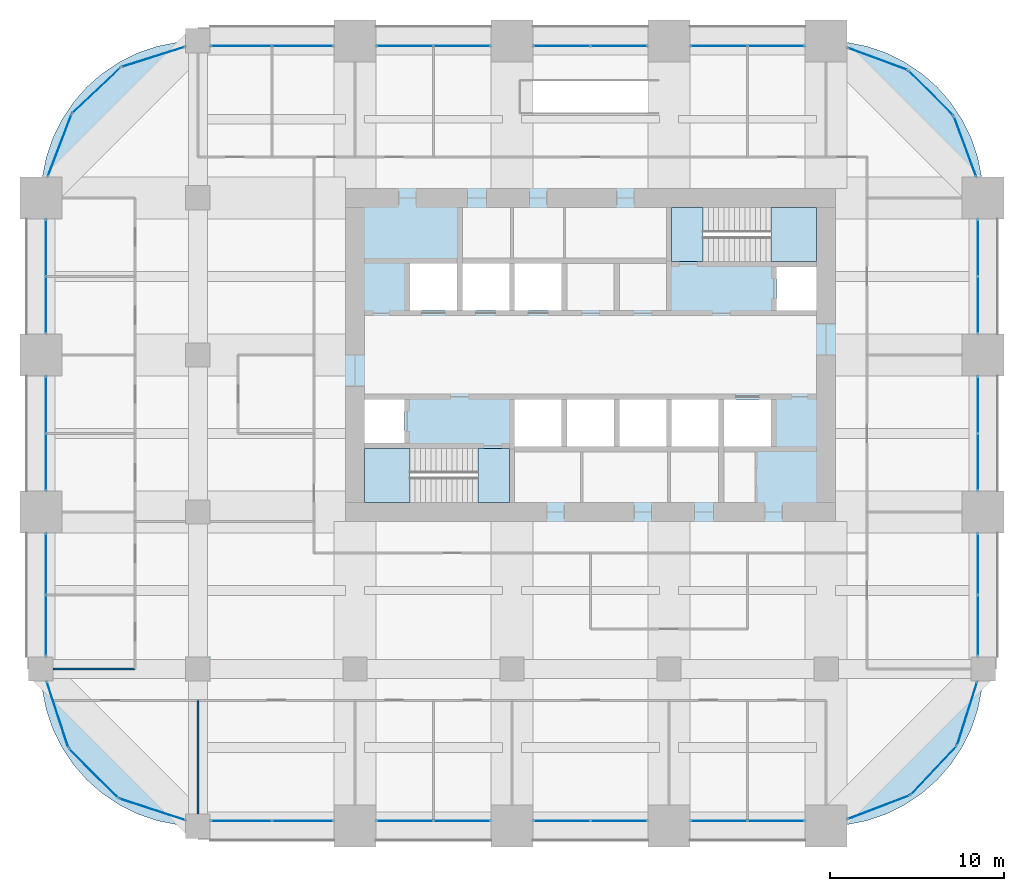
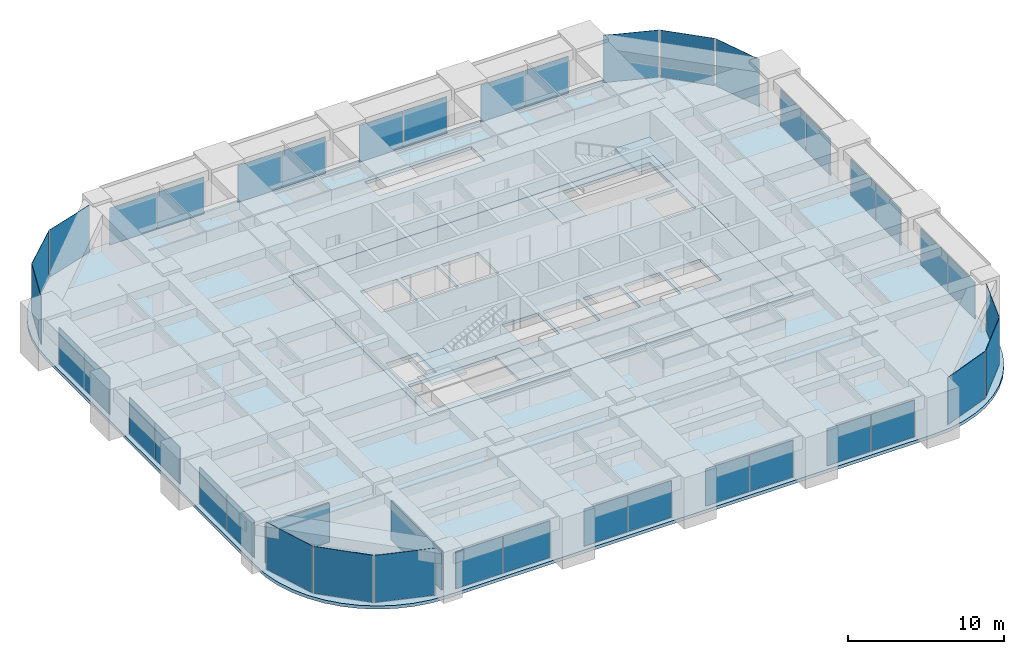
# One storey, part 29 of 35: 40 plates, 6 slabs, 2 walls, 28 elements without a shape of their own.
"""IFC4 building model written with IfcOpenShell, lengths in metres."""

from ifc_helpers import new_model, si_unit, direction, frame, frame_2d, origin, origin_2d, place, context, subcontext, project, spatial, polyline, rectangle, outline, extrude, material, layer, layer_set, type_object, element, aggregate, save


model = new_model("IFC4")

# Units and contexts
model_context = context("Model", 3, precision=1e-05, world=origin(), true_north=direction((0.0, 1.0)))
body_context = subcontext(model_context, "Body", "Model", "MODEL_VIEW")
ifc_project = project(units=[si_unit("LENGTHUNIT", "METRE"), si_unit("AREAUNIT", "SQUARE_METRE"), si_unit("VOLUMEUNIT", "CUBIC_METRE"), si_unit("PLANEANGLEUNIT", "RADIAN"), si_unit("MASSUNIT", "GRAM", prefix="KILO")], contexts=[model_context])

# Site, building, storey
site_placement = place(None, origin())
site = spatial("IfcSite", under=ifc_project, at=site_placement, CompositionType="ELEMENT")
building_placement = place(site_placement, origin())
building = spatial("IfcBuilding", under=site, at=building_placement, Name="Zorevar Civic Tower", CompositionType="ELEMENT")
storey_placement = place(building_placement, frame((0.0, 0.0, 218.199951171875)))
storey = spatial("IfcBuildingStorey", under=building, at=storey_placement, Name="L53", CompositionType="ELEMENT", Elevation=218.199951171875)

# Curtain wall, plates
ifc_material_1 = material(Name="Dark grey solar-control glass in black aluminium frame", Category="aluminium")
curtain_wall_type = type_object("IfcCurtainWallType", Name="Curtain wall CW4 high zone", PredefinedType="NOTDEFINED", material=ifc_material_1)
curtain_wall_1_placement = place(storey_placement, origin())
curtain_wall_1 = element("IfcCurtainWall", 1, at=curtain_wall_1_placement, inside=storey, type_object=curtain_wall_type, Name="CW4 L53", PredefinedType="NOTDEFINED")
ifc_material_2 = material(Name="Dark grey solar-control glass", Category="glass")
ifc_layer_1 = layer(ifc_material_2, 0.028076171875)
ifc_layer_set_1 = layer_set([ifc_layer_1], Name="CW4 panel 28")
plate_type = type_object("IfcPlateType", Name="CW4 panel 28", PredefinedType="CURTAIN_PANEL", material=ifc_layer_set_1)
plate_1_placement = place(storey_placement, frame((11.489990234375, 0.300048828125, 0.06005859375), z_axis=(0.0, 0.0, 1.0), x_axis=(1.0, 0.0, 0.0)))
plate_1 = element("IfcPlate", 2, at=plate_1_placement, type_object=plate_type, Name="CW4 panel 1.1", PredefinedType="CURTAIN_PANEL", context=body_context, shape_type="SweptSolid", body=[
    extrude(rectangle(XDim=3.4599609375, YDim=0.028076171875, at=origin_2d()), origin(), (0.0, 0.0, 1.0), 2.889892578125),
])
plate_2_placement = place(storey_placement, frame((15.010009765625, 0.300048828125, 0.06005859375), z_axis=(0.0, 0.0, 1.0), x_axis=(1.0, 0.0, 0.0)))
plate_2 = element("IfcPlate", 3, at=plate_2_placement, type_object=plate_type, Name="CW4 panel 2.1", PredefinedType="CURTAIN_PANEL", context=body_context, shape_type="SweptSolid", body=[
    extrude(rectangle(XDim=3.4599609375, YDim=0.028076171875, at=origin_2d()), origin(), (0.0, 0.0, 1.0), 2.889892578125),
])
aggregate(curtain_wall_1, [plate_1, plate_2])

curtain_wall_2_placement = place(storey_placement, origin())
curtain_wall_2 = element("IfcCurtainWall", 4, at=curtain_wall_2_placement, inside=storey, type_object=curtain_wall_type, Name="CW4 L53", PredefinedType="NOTDEFINED")
plate_3_placement = place(storey_placement, frame((11.489990234375, 44.699951171875, 0.06005859375), z_axis=(0.0, 0.0, 1.0), x_axis=(1.0, 0.0, 0.0)))
plate_3 = element("IfcPlate", 5, at=plate_3_placement, type_object=plate_type, Name="CW4 panel 1.1", PredefinedType="CURTAIN_PANEL", context=body_context, shape_type="SweptSolid", body=[
    extrude(rectangle(XDim=3.4599609375, YDim=0.028076171875, at=origin_2d()), origin(), (0.0, 0.0, 1.0), 2.889892578125),
])
plate_4_placement = place(storey_placement, frame((15.010009765625, 44.699951171875, 0.06005859375), z_axis=(0.0, 0.0, 1.0), x_axis=(1.0, 0.0, 0.0)))
plate_4 = element("IfcPlate", 6, at=plate_4_placement, type_object=plate_type, Name="CW4 panel 2.1", PredefinedType="CURTAIN_PANEL", context=body_context, shape_type="SweptSolid", body=[
    extrude(rectangle(XDim=3.4599609375, YDim=0.028076171875, at=origin_2d()), origin(), (0.0, 0.0, 1.0), 2.889892578125),
])
aggregate(curtain_wall_2, [plate_3, plate_4])

curtain_wall_3_placement = place(storey_placement, origin())
curtain_wall_3 = element("IfcCurtainWall", 7, at=curtain_wall_3_placement, inside=storey, type_object=curtain_wall_type, Name="CW4 L53", PredefinedType="NOTDEFINED")
plate_5_placement = place(storey_placement, frame((20.864990234375, 0.300048828125, 0.06005859375), z_axis=(0.0, 0.0, 1.0), x_axis=(1.0, 0.0, 0.0)))
plate_5 = element("IfcPlate", 8, at=plate_5_placement, type_object=plate_type, Name="CW4 panel 1.1", PredefinedType="CURTAIN_PANEL", context=body_context, shape_type="SweptSolid", body=[
    extrude(rectangle(XDim=3.2099609375, YDim=0.028076171875, at=origin_2d()), origin(), (0.0, 0.0, 1.0), 2.889892578125),
])
plate_6_placement = place(storey_placement, frame((24.135009765625, 0.300048828125, 0.06005859375), z_axis=(0.0, 0.0, 1.0), x_axis=(1.0, 0.0, 0.0)))
plate_6 = element("IfcPlate", 9, at=plate_6_placement, type_object=plate_type, Name="CW4 panel 2.1", PredefinedType="CURTAIN_PANEL", context=body_context, shape_type="SweptSolid", body=[
    extrude(rectangle(XDim=3.2099609375, YDim=0.028076171875, at=origin_2d()), origin(), (0.0, 0.0, 1.0), 2.889892578125),
])
aggregate(curtain_wall_3, [plate_5, plate_6])

curtain_wall_4_placement = place(storey_placement, origin())
curtain_wall_4 = element("IfcCurtainWall", 10, at=curtain_wall_4_placement, inside=storey, type_object=curtain_wall_type, Name="CW4 L53", PredefinedType="NOTDEFINED")
plate_7_placement = place(storey_placement, frame((20.864990234375, 44.699951171875, 0.06005859375), z_axis=(0.0, 0.0, 1.0), x_axis=(1.0, 0.0, 0.0)))
plate_7 = element("IfcPlate", 11, at=plate_7_placement, type_object=plate_type, Name="CW4 panel 1.1", PredefinedType="CURTAIN_PANEL", context=body_context, shape_type="SweptSolid", body=[
    extrude(rectangle(XDim=3.2099609375, YDim=0.028076171875, at=origin_2d()), origin(), (0.0, 0.0, 1.0), 2.889892578125),
])
plate_8_placement = place(storey_placement, frame((24.135009765625, 44.699951171875, 0.06005859375), z_axis=(0.0, 0.0, 1.0), x_axis=(1.0, 0.0, 0.0)))
plate_8 = element("IfcPlate", 12, at=plate_8_placement, type_object=plate_type, Name="CW4 panel 2.1", PredefinedType="CURTAIN_PANEL", context=body_context, shape_type="SweptSolid", body=[
    extrude(rectangle(XDim=3.2099609375, YDim=0.028076171875, at=origin_2d()), origin(), (0.0, 0.0, 1.0), 2.889892578125),
])
aggregate(curtain_wall_4, [plate_7, plate_8])

curtain_wall_5_placement = place(storey_placement, origin())
curtain_wall_5 = element("IfcCurtainWall", 13, at=curtain_wall_5_placement, inside=storey, type_object=curtain_wall_type, Name="CW4 L53", PredefinedType="NOTDEFINED")
plate_9_placement = place(storey_placement, frame((29.864990234375, 0.300048828125, 0.06005859375), z_axis=(0.0, 0.0, 1.0), x_axis=(1.0, 0.0, 0.0)))
plate_9 = element("IfcPlate", 14, at=plate_9_placement, type_object=plate_type, Name="CW4 panel 1.1", PredefinedType="CURTAIN_PANEL", context=body_context, shape_type="SweptSolid", body=[
    extrude(rectangle(XDim=3.2099609375, YDim=0.028076171875, at=origin_2d()), origin(), (0.0, 0.0, 1.0), 2.889892578125),
])
plate_10_placement = place(storey_placement, frame((33.135009765625, 0.300048828125, 0.06005859375), z_axis=(0.0, 0.0, 1.0), x_axis=(1.0, 0.0, 0.0)))
plate_10 = element("IfcPlate", 15, at=plate_10_placement, type_object=plate_type, Name="CW4 panel 2.1", PredefinedType="CURTAIN_PANEL", context=body_context, shape_type="SweptSolid", body=[
    extrude(rectangle(XDim=3.2099609375, YDim=0.028076171875, at=origin_2d()), origin(), (0.0, 0.0, 1.0), 2.889892578125),
])
aggregate(curtain_wall_5, [plate_9, plate_10])

curtain_wall_6_placement = place(storey_placement, origin())
curtain_wall_6 = element("IfcCurtainWall", 16, at=curtain_wall_6_placement, inside=storey, type_object=curtain_wall_type, Name="CW4 L53", PredefinedType="NOTDEFINED")
plate_11_placement = place(storey_placement, frame((29.864990234375, 44.699951171875, 0.06005859375), z_axis=(0.0, 0.0, 1.0), x_axis=(1.0, 0.0, 0.0)))
plate_11 = element("IfcPlate", 17, at=plate_11_placement, type_object=plate_type, Name="CW4 panel 1.1", PredefinedType="CURTAIN_PANEL", context=body_context, shape_type="SweptSolid", body=[
    extrude(rectangle(XDim=3.2099609375, YDim=0.028076171875, at=origin_2d()), origin(), (0.0, 0.0, 1.0), 2.889892578125),
])
plate_12_placement = place(storey_placement, frame((33.135009765625, 44.699951171875, 0.06005859375), z_axis=(0.0, 0.0, 1.0), x_axis=(1.0, 0.0, 0.0)))
plate_12 = element("IfcPlate", 18, at=plate_12_placement, type_object=plate_type, Name="CW4 panel 2.1", PredefinedType="CURTAIN_PANEL", context=body_context, shape_type="SweptSolid", body=[
    extrude(rectangle(XDim=3.2099609375, YDim=0.028076171875, at=origin_2d()), origin(), (0.0, 0.0, 1.0), 2.889892578125),
])
aggregate(curtain_wall_6, [plate_11, plate_12])

curtain_wall_7_placement = place(storey_placement, origin())
curtain_wall_7 = element("IfcCurtainWall", 19, at=curtain_wall_7_placement, inside=storey, type_object=curtain_wall_type, Name="CW4 L53", PredefinedType="NOTDEFINED")
plate_13_placement = place(storey_placement, frame((38.864990234375, 0.300048828125, 0.06005859375), z_axis=(0.0, 0.0, 1.0), x_axis=(1.0, 0.0, 0.0)))
plate_13 = element("IfcPlate", 20, at=plate_13_placement, type_object=plate_type, Name="CW4 panel 1.1", PredefinedType="CURTAIN_PANEL", context=body_context, shape_type="SweptSolid", body=[
    extrude(rectangle(XDim=3.2099609375, YDim=0.028076171875, at=origin_2d()), origin(), (0.0, 0.0, 1.0), 2.889892578125),
])
plate_14_placement = place(storey_placement, frame((42.135009765625, 0.300048828125, 0.06005859375), z_axis=(0.0, 0.0, 1.0), x_axis=(1.0, 0.0, 0.0)))
plate_14 = element("IfcPlate", 21, at=plate_14_placement, type_object=plate_type, Name="CW4 panel 2.1", PredefinedType="CURTAIN_PANEL", context=body_context, shape_type="SweptSolid", body=[
    extrude(rectangle(XDim=3.2099609375, YDim=0.028076171875, at=origin_2d()), origin(), (0.0, 0.0, 1.0), 2.889892578125),
])
aggregate(curtain_wall_7, [plate_13, plate_14])

curtain_wall_8_placement = place(storey_placement, origin())
curtain_wall_8 = element("IfcCurtainWall", 22, at=curtain_wall_8_placement, inside=storey, type_object=curtain_wall_type, Name="CW4 L53", PredefinedType="NOTDEFINED")
plate_15_placement = place(storey_placement, frame((38.864990234375, 44.699951171875, 0.06005859375), z_axis=(0.0, 0.0, 1.0), x_axis=(1.0, 0.0, 0.0)))
plate_15 = element("IfcPlate", 23, at=plate_15_placement, type_object=plate_type, Name="CW4 panel 1.1", PredefinedType="CURTAIN_PANEL", context=body_context, shape_type="SweptSolid", body=[
    extrude(rectangle(XDim=3.2099609375, YDim=0.028076171875, at=origin_2d()), origin(), (0.0, 0.0, 1.0), 2.889892578125),
])
plate_16_placement = place(storey_placement, frame((42.135009765625, 44.699951171875, 0.06005859375), z_axis=(0.0, 0.0, 1.0), x_axis=(1.0, 0.0, 0.0)))
plate_16 = element("IfcPlate", 24, at=plate_16_placement, type_object=plate_type, Name="CW4 panel 2.1", PredefinedType="CURTAIN_PANEL", context=body_context, shape_type="SweptSolid", body=[
    extrude(rectangle(XDim=3.2099609375, YDim=0.028076171875, at=origin_2d()), origin(), (0.0, 0.0, 1.0), 2.889892578125),
])
aggregate(curtain_wall_8, [plate_15, plate_16])

curtain_wall_9_placement = place(storey_placement, origin())
curtain_wall_9 = element("IfcCurtainWall", 25, at=curtain_wall_9_placement, inside=storey, type_object=curtain_wall_type, Name="CW4 L53", PredefinedType="NOTDEFINED")
plate_17_placement = place(storey_placement, frame((0.300048828125, 11.489990234375, 0.06005859375), z_axis=(0.0, 0.0, 1.0), x_axis=(0.0, 1.0, 0.0)))
plate_17 = element("IfcPlate", 26, at=plate_17_placement, type_object=plate_type, Name="CW4 panel 1.1", PredefinedType="CURTAIN_PANEL", context=body_context, shape_type="SweptSolid", body=[
    extrude(rectangle(XDim=3.4599609375, YDim=0.028076171875, at=origin_2d()), origin(), (0.0, 0.0, 1.0), 2.889892578125),
])
plate_18_placement = place(storey_placement, frame((0.300048828125, 15.010009765625, 0.06005859375), z_axis=(0.0, 0.0, 1.0), x_axis=(0.0, 1.0, 0.0)))
plate_18 = element("IfcPlate", 27, at=plate_18_placement, type_object=plate_type, Name="CW4 panel 2.1", PredefinedType="CURTAIN_PANEL", context=body_context, shape_type="SweptSolid", body=[
    extrude(rectangle(XDim=3.4599609375, YDim=0.028076171875, at=origin_2d()), origin(), (0.0, 0.0, 1.0), 2.889892578125),
])
aggregate(curtain_wall_9, [plate_17, plate_18])

curtain_wall_10_placement = place(storey_placement, origin())
curtain_wall_10 = element("IfcCurtainWall", 28, at=curtain_wall_10_placement, inside=storey, type_object=curtain_wall_type, Name="CW4 L53", PredefinedType="NOTDEFINED")
plate_19_placement = place(storey_placement, frame((53.699951171875, 11.489990234375, 0.06005859375), z_axis=(0.0, 0.0, 1.0), x_axis=(0.0, 1.0, 0.0)))
plate_19 = element("IfcPlate", 29, at=plate_19_placement, type_object=plate_type, Name="CW4 panel 1.1", PredefinedType="CURTAIN_PANEL", context=body_context, shape_type="SweptSolid", body=[
    extrude(rectangle(XDim=3.4599609375, YDim=0.028076171875, at=origin_2d()), origin(), (0.0, 0.0, 1.0), 2.889892578125),
])
plate_20_placement = place(storey_placement, frame((53.699951171875, 15.010009765625, 0.06005859375), z_axis=(0.0, 0.0, 1.0), x_axis=(0.0, 1.0, 0.0)))
plate_20 = element("IfcPlate", 30, at=plate_20_placement, type_object=plate_type, Name="CW4 panel 2.1", PredefinedType="CURTAIN_PANEL", context=body_context, shape_type="SweptSolid", body=[
    extrude(rectangle(XDim=3.4599609375, YDim=0.028076171875, at=origin_2d()), origin(), (0.0, 0.0, 1.0), 2.889892578125),
])
aggregate(curtain_wall_10, [plate_19, plate_20])

curtain_wall_11_placement = place(storey_placement, origin())
curtain_wall_11 = element("IfcCurtainWall", 31, at=curtain_wall_11_placement, inside=storey, type_object=curtain_wall_type, Name="CW4 L53", PredefinedType="NOTDEFINED")
plate_21_placement = place(storey_placement, frame((0.300048828125, 20.864990234375, 0.06005859375), z_axis=(0.0, 0.0, 1.0), x_axis=(0.0, 1.0, 0.0)))
plate_21 = element("IfcPlate", 32, at=plate_21_placement, type_object=plate_type, Name="CW4 panel 1.1", PredefinedType="CURTAIN_PANEL", context=body_context, shape_type="SweptSolid", body=[
    extrude(rectangle(XDim=3.2099609375, YDim=0.028076171875, at=origin_2d()), origin(), (0.0, 0.0, 1.0), 2.889892578125),
])
plate_22_placement = place(storey_placement, frame((0.300048828125, 24.135009765625, 0.06005859375), z_axis=(0.0, 0.0, 1.0), x_axis=(0.0, 1.0, 0.0)))
plate_22 = element("IfcPlate", 33, at=plate_22_placement, type_object=plate_type, Name="CW4 panel 2.1", PredefinedType="CURTAIN_PANEL", context=body_context, shape_type="SweptSolid", body=[
    extrude(rectangle(XDim=3.2099609375, YDim=0.028076171875, at=origin_2d()), origin(), (0.0, 0.0, 1.0), 2.889892578125),
])
aggregate(curtain_wall_11, [plate_21, plate_22])

curtain_wall_12_placement = place(storey_placement, origin())
curtain_wall_12 = element("IfcCurtainWall", 34, at=curtain_wall_12_placement, inside=storey, type_object=curtain_wall_type, Name="CW4 L53", PredefinedType="NOTDEFINED")
plate_23_placement = place(storey_placement, frame((53.699951171875, 20.864990234375, 0.06005859375), z_axis=(0.0, 0.0, 1.0), x_axis=(0.0, 1.0, 0.0)))
plate_23 = element("IfcPlate", 35, at=plate_23_placement, type_object=plate_type, Name="CW4 panel 1.1", PredefinedType="CURTAIN_PANEL", context=body_context, shape_type="SweptSolid", body=[
    extrude(rectangle(XDim=3.2099609375, YDim=0.028076171875, at=origin_2d()), origin(), (0.0, 0.0, 1.0), 2.889892578125),
])
plate_24_placement = place(storey_placement, frame((53.699951171875, 24.135009765625, 0.06005859375), z_axis=(0.0, 0.0, 1.0), x_axis=(0.0, 1.0, 0.0)))
plate_24 = element("IfcPlate", 36, at=plate_24_placement, type_object=plate_type, Name="CW4 panel 2.1", PredefinedType="CURTAIN_PANEL", context=body_context, shape_type="SweptSolid", body=[
    extrude(rectangle(XDim=3.2099609375, YDim=0.028076171875, at=origin_2d()), origin(), (0.0, 0.0, 1.0), 2.889892578125),
])
aggregate(curtain_wall_12, [plate_23, plate_24])

curtain_wall_13_placement = place(storey_placement, origin())
curtain_wall_13 = element("IfcCurtainWall", 37, at=curtain_wall_13_placement, inside=storey, type_object=curtain_wall_type, Name="CW4 L53", PredefinedType="NOTDEFINED")
plate_25_placement = place(storey_placement, frame((0.300048828125, 29.864990234375, 0.06005859375), z_axis=(0.0, 0.0, 1.0), x_axis=(0.0, 1.0, 0.0)))
plate_25 = element("IfcPlate", 38, at=plate_25_placement, type_object=plate_type, Name="CW4 panel 1.1", PredefinedType="CURTAIN_PANEL", context=body_context, shape_type="SweptSolid", body=[
    extrude(rectangle(XDim=3.2099609375, YDim=0.028076171875, at=origin_2d()), origin(), (0.0, 0.0, 1.0), 2.889892578125),
])
plate_26_placement = place(storey_placement, frame((0.300048828125, 33.135009765625, 0.06005859375), z_axis=(0.0, 0.0, 1.0), x_axis=(0.0, 1.0, 0.0)))
plate_26 = element("IfcPlate", 39, at=plate_26_placement, type_object=plate_type, Name="CW4 panel 2.1", PredefinedType="CURTAIN_PANEL", context=body_context, shape_type="SweptSolid", body=[
    extrude(rectangle(XDim=3.2099609375, YDim=0.028076171875, at=origin_2d()), origin(), (0.0, 0.0, 1.0), 2.889892578125),
])
aggregate(curtain_wall_13, [plate_25, plate_26])

curtain_wall_14_placement = place(storey_placement, origin())
curtain_wall_14 = element("IfcCurtainWall", 40, at=curtain_wall_14_placement, inside=storey, type_object=curtain_wall_type, Name="CW4 L53", PredefinedType="NOTDEFINED")
plate_27_placement = place(storey_placement, frame((53.699951171875, 29.864990234375, 0.06005859375), z_axis=(0.0, 0.0, 1.0), x_axis=(0.0, 1.0, 0.0)))
plate_27 = element("IfcPlate", 41, at=plate_27_placement, type_object=plate_type, Name="CW4 panel 1.1", PredefinedType="CURTAIN_PANEL", context=body_context, shape_type="SweptSolid", body=[
    extrude(rectangle(XDim=3.2099609375, YDim=0.028076171875, at=origin_2d()), origin(), (0.0, 0.0, 1.0), 2.889892578125),
])
plate_28_placement = place(storey_placement, frame((53.699951171875, 33.135009765625, 0.06005859375), z_axis=(0.0, 0.0, 1.0), x_axis=(0.0, 1.0, 0.0)))
plate_28 = element("IfcPlate", 42, at=plate_28_placement, type_object=plate_type, Name="CW4 panel 2.1", PredefinedType="CURTAIN_PANEL", context=body_context, shape_type="SweptSolid", body=[
    extrude(rectangle(XDim=3.2099609375, YDim=0.028076171875, at=origin_2d()), origin(), (0.0, 0.0, 1.0), 2.889892578125),
])
aggregate(curtain_wall_14, [plate_27, plate_28])

# Curtain wall, plate
curtain_wall_15_placement = place(storey_placement, origin())
curtain_wall_15 = element("IfcCurtainWall", 43, at=curtain_wall_15_placement, inside=storey, type_object=curtain_wall_type, Name="CW4 L53", PredefinedType="NOTDEFINED")
plate_29_placement = place(storey_placement, frame((48.0166015625, 1.07470703125, 0.06005859375), z_axis=(0.0, 0.0, 1.0), x_axis=(0.93458842801, 0.355730895803, 0.0)))
plate_29 = element("IfcPlate", 44, at=plate_29_placement, type_object=plate_type, Name="CW4 panel 1.1", PredefinedType="CURTAIN_PANEL", context=body_context, shape_type="SweptSolid", body=[
    extrude(rectangle(XDim=3.767333984375, YDim=0.028076171875, at=origin_2d()), origin(), (0.0, 0.0, 1.0), 3.68994140625),
])
aggregate(curtain_wall_15, [plate_29])

curtain_wall_16_placement = place(storey_placement, origin())
curtain_wall_16 = element("IfcCurtainWall", 45, at=curtain_wall_16_placement, inside=storey, type_object=curtain_wall_type, Name="CW4 L53", PredefinedType="NOTDEFINED")
plate_30_placement = place(storey_placement, frame((51.167236328125, 3.179443359375, 0.06005859375), z_axis=(0.0, 0.0, 1.0), x_axis=(0.686377907265, 0.727245053898, 0.0)))
plate_30 = element("IfcPlate", 46, at=plate_30_placement, type_object=plate_type, Name="CW4 panel 1.1", PredefinedType="CURTAIN_PANEL", context=body_context, shape_type="SweptSolid", body=[
    extrude(rectangle(XDim=3.767333984375, YDim=0.028076171875, at=origin_2d()), origin(), (0.0, 0.0, 1.0), 3.68994140625),
])
aggregate(curtain_wall_16, [plate_30])

curtain_wall_17_placement = place(storey_placement, origin())
curtain_wall_17 = element("IfcCurtainWall", 47, at=curtain_wall_17_placement, inside=storey, type_object=curtain_wall_type, Name="CW4 L53", PredefinedType="NOTDEFINED")
plate_31_placement = place(storey_placement, frame((53.08642578125, 6.446533203125, 0.06005859375), z_axis=(0.0, 0.0, 1.0), x_axis=(0.301108296077, 0.953589950678, 0.0)))
plate_31 = element("IfcPlate", 48, at=plate_31_placement, type_object=plate_type, Name="CW4 panel 1.1", PredefinedType="CURTAIN_PANEL", context=body_context, shape_type="SweptSolid", body=[
    extrude(rectangle(XDim=3.767333984375, YDim=0.028076171875, at=origin_2d()), origin(), (0.0, 0.0, 1.0), 3.68994140625),
])
aggregate(curtain_wall_17, [plate_31])

curtain_wall_18_placement = place(storey_placement, origin())
curtain_wall_18 = element("IfcCurtainWall", 49, at=curtain_wall_18_placement, inside=storey, type_object=curtain_wall_type, Name="CW4 L53", PredefinedType="NOTDEFINED")
plate_32_placement = place(storey_placement, frame((52.97119140625, 38.9462890625, 0.06005859375), z_axis=(0.0, 0.0, 1.0), x_axis=(-0.346704012033, 0.937974588163, 0.0)))
plate_32 = element("IfcPlate", 50, at=plate_32_placement, type_object=plate_type, Name="CW4 panel 1.1", PredefinedType="CURTAIN_PANEL", context=body_context, shape_type="SweptSolid", body=[
    extrude(rectangle(XDim=3.603759765625, YDim=0.028076171875, at=origin_2d()), origin(), (0.0, 0.0, 1.0), 3.68994140625),
])
aggregate(curtain_wall_18, [plate_32])

curtain_wall_19_placement = place(storey_placement, origin())
curtain_wall_19 = element("IfcCurtainWall", 51, at=curtain_wall_19_placement, inside=storey, type_object=curtain_wall_type, Name="CW4 L53", PredefinedType="NOTDEFINED")
plate_33_placement = place(storey_placement, frame((51.00927734375, 42.00927734375, 0.06005859375), z_axis=(0.0, 0.0, 1.0), x_axis=(-0.707106781187, 0.707106781187, 0.0)))
plate_33 = element("IfcPlate", 52, at=plate_33_placement, type_object=plate_type, Name="CW4 panel 1.1", PredefinedType="CURTAIN_PANEL", context=body_context, shape_type="SweptSolid", body=[
    extrude(rectangle(XDim=3.603759765625, YDim=0.028076171875, at=origin_2d()), origin(), (0.0, 0.0, 1.0), 3.68994140625),
])
aggregate(curtain_wall_19, [plate_33])

curtain_wall_20_placement = place(storey_placement, origin())
curtain_wall_20 = element("IfcCurtainWall", 53, at=curtain_wall_20_placement, inside=storey, type_object=curtain_wall_type, Name="CW4 L53", PredefinedType="NOTDEFINED")
plate_34_placement = place(storey_placement, frame((47.9462890625, 43.97119140625, 0.06005859375), z_axis=(0.0, 0.0, 1.0), x_axis=(-0.937974588163, 0.346704012033, 0.0)))
plate_34 = element("IfcPlate", 54, at=plate_34_placement, type_object=plate_type, Name="CW4 panel 1.1", PredefinedType="CURTAIN_PANEL", context=body_context, shape_type="SweptSolid", body=[
    extrude(rectangle(XDim=3.603759765625, YDim=0.028076171875, at=origin_2d()), origin(), (0.0, 0.0, 1.0), 3.68994140625),
])
aggregate(curtain_wall_20, [plate_34])

curtain_wall_21_placement = place(storey_placement, origin())
curtain_wall_21 = element("IfcCurtainWall", 55, at=curtain_wall_21_placement, inside=storey, type_object=curtain_wall_type, Name="CW4 L53", PredefinedType="NOTDEFINED")
plate_35_placement = place(storey_placement, frame((6.446533203125, 44.08642578125, 0.06005859375), z_axis=(0.0, 0.0, 1.0), x_axis=(-0.953589950678, -0.301108296077, 0.0)))
plate_35 = element("IfcPlate", 56, at=plate_35_placement, type_object=plate_type, Name="CW4 panel 1.1", PredefinedType="CURTAIN_PANEL", context=body_context, shape_type="SweptSolid", body=[
    extrude(rectangle(XDim=3.767333984375, YDim=0.028076171875, at=origin_2d()), origin(), (0.0, 0.0, 1.0), 3.68994140625),
])
aggregate(curtain_wall_21, [plate_35])

curtain_wall_22_placement = place(storey_placement, origin())
curtain_wall_22 = element("IfcCurtainWall", 57, at=curtain_wall_22_placement, inside=storey, type_object=curtain_wall_type, Name="CW4 L53", PredefinedType="NOTDEFINED")
plate_36_placement = place(storey_placement, frame((3.179443359375, 42.167236328125, 0.06005859375), z_axis=(0.0, 0.0, 1.0), x_axis=(-0.727245053898, -0.686377907265, 0.0)))
plate_36 = element("IfcPlate", 58, at=plate_36_placement, type_object=plate_type, Name="CW4 panel 1.1", PredefinedType="CURTAIN_PANEL", context=body_context, shape_type="SweptSolid", body=[
    extrude(rectangle(XDim=3.767333984375, YDim=0.028076171875, at=origin_2d()), origin(), (0.0, 0.0, 1.0), 3.68994140625),
])
aggregate(curtain_wall_22, [plate_36])

curtain_wall_23_placement = place(storey_placement, origin())
curtain_wall_23 = element("IfcCurtainWall", 59, at=curtain_wall_23_placement, inside=storey, type_object=curtain_wall_type, Name="CW4 L53", PredefinedType="NOTDEFINED")
plate_37_placement = place(storey_placement, frame((1.07470703125, 39.0166015625, 0.06005859375), z_axis=(0.0, 0.0, 1.0), x_axis=(-0.355730895803, -0.93458842801, 0.0)))
plate_37 = element("IfcPlate", 60, at=plate_37_placement, type_object=plate_type, Name="CW4 panel 1.1", PredefinedType="CURTAIN_PANEL", context=body_context, shape_type="SweptSolid", body=[
    extrude(rectangle(XDim=3.767333984375, YDim=0.028076171875, at=origin_2d()), origin(), (0.0, 0.0, 1.0), 3.68994140625),
])
aggregate(curtain_wall_23, [plate_37])

curtain_wall_24_placement = place(storey_placement, origin())
curtain_wall_24 = element("IfcCurtainWall", 61, at=curtain_wall_24_placement, inside=storey, type_object=curtain_wall_type, Name="CW4 L53", PredefinedType="NOTDEFINED")
plate_38_placement = place(storey_placement, frame((0.956787109375, 6.374755859375, 0.06005859375), z_axis=(0.0, 0.0, 1.0), x_axis=(0.310281419775, -0.950644749916, 0.0)))
plate_38 = element("IfcPlate", 62, at=plate_38_placement, type_object=plate_type, Name="CW4 panel 1.1", PredefinedType="CURTAIN_PANEL", context=body_context, shape_type="SweptSolid", body=[
    extrude(rectangle(XDim=3.9306640625, YDim=0.028076171875, at=origin_2d()), origin(), (0.0, 0.0, 1.0), 3.68994140625),
])
aggregate(curtain_wall_24, [plate_38])

curtain_wall_25_placement = place(storey_placement, origin())
curtain_wall_25 = element("IfcCurtainWall", 63, at=curtain_wall_25_placement, inside=storey, type_object=curtain_wall_type, Name="CW4 L53", PredefinedType="NOTDEFINED")
plate_39_placement = place(storey_placement, frame((3.01708984375, 3.01708984375, 0.06005859375), z_axis=(0.0, 0.0, 1.0), x_axis=(0.707106781187, -0.707106781187, 0.0)))
plate_39 = element("IfcPlate", 64, at=plate_39_placement, type_object=plate_type, Name="CW4 panel 1.1", PredefinedType="CURTAIN_PANEL", context=body_context, shape_type="SweptSolid", body=[
    extrude(rectangle(XDim=3.9306640625, YDim=0.028076171875, at=origin_2d()), origin(), (0.0, 0.0, 1.0), 3.68994140625),
])
aggregate(curtain_wall_25, [plate_39])

curtain_wall_26_placement = place(storey_placement, origin())
curtain_wall_26 = element("IfcCurtainWall", 65, at=curtain_wall_26_placement, inside=storey, type_object=curtain_wall_type, Name="CW4 L53", PredefinedType="NOTDEFINED")
plate_40_placement = place(storey_placement, frame((6.374755859375, 0.956787109375, 0.06005859375), z_axis=(0.0, 0.0, 1.0), x_axis=(0.950644749916, -0.310281419775, 0.0)))
plate_40 = element("IfcPlate", 66, at=plate_40_placement, type_object=plate_type, Name="CW4 panel 1.1", PredefinedType="CURTAIN_PANEL", context=body_context, shape_type="SweptSolid", body=[
    extrude(rectangle(XDim=3.9306640625, YDim=0.028076171875, at=origin_2d()), origin(), (0.0, 0.0, 1.0), 3.68994140625),
])
aggregate(curtain_wall_26, [plate_40])

# Slabs
ifc_material_3 = material(Name="Concrete C40/50", Category="concrete")
ifc_layer_2 = layer(ifc_material_3, 0.25)
ifc_layer_set_2 = layer_set([ifc_layer_2], Name="Floor slab 250")
slab_type_1 = type_object("IfcSlabType", Name="Floor slab 250", PredefinedType="FLOOR", material=ifc_layer_set_2)
slab_1_placement = place(storey_placement, frame((0.0, 0.0, -0.25)))
element("IfcSlab", 67, at=slab_1_placement, inside=storey, type_object=slab_type_1, Name="Floor slab L53", PredefinedType="FLOOR", context=body_context, shape_type="SweptSolid", body=[
    extrude(outline(polyline([(45.0, 0.0), (46.1748046875, 0.076904296875), (47.329345703125, 0.306640625), (48.444091796875, 0.68505859375), (49.5, 1.205810546875), (50.478759765625, 1.85986328125), (51.364013671875, 2.635986328125), (52.14013671875, 3.521240234375), (52.794189453125, 4.5), (53.31494140625, 5.555908203125), (53.693359375, 6.670654296875), (53.923095703125, 7.8251953125), (54.0, 9.0), (54.0, 36.0), (53.923095703125, 37.1748046875), (53.693359375, 38.329345703125), (53.31494140625, 39.444091796875), (52.794189453125, 40.5), (52.14013671875, 41.478759765625), (51.364013671875, 42.364013671875), (50.478759765625, 43.14013671875), (49.5, 43.794189453125), (48.444091796875, 44.31494140625), (47.329345703125, 44.693359375), (46.1748046875, 44.923095703125), (45.0, 45.0), (9.0, 45.0), (7.8251953125, 44.923095703125), (6.670654296875, 44.693359375), (5.555908203125, 44.31494140625), (4.5, 43.794189453125), (3.521240234375, 43.14013671875), (2.635986328125, 42.364013671875), (1.85986328125, 41.478759765625), (1.205810546875, 40.5), (0.68505859375, 39.444091796875), (0.306640625, 38.329345703125), (0.076904296875, 37.1748046875), (0.0, 36.0), (0.0, 9.0), (0.076904296875, 7.8251953125), (0.306640625, 6.670654296875), (0.68505859375, 5.555908203125), (1.205810546875, 4.5), (1.85986328125, 3.521240234375), (2.635986328125, 2.635986328125), (3.521240234375, 1.85986328125), (4.5, 1.205810546875), (5.555908203125, 0.68505859375), (6.670654296875, 0.306640625), (7.8251953125, 0.076904296875), (9.0, 0.0), (45.0, 0.0)]), holes=[polyline([(18.0, 18.0), (45.0, 18.0), (45.0, 36.0), (18.0, 36.0), (18.0, 18.0)]), polyline([(27.5, 40.89990234375), (35.39990234375, 40.89990234375), (35.39990234375, 42.699951171875), (27.5, 42.699951171875), (27.5, 40.89990234375)])]), origin(), (0.0, 0.0, 1.0), 0.25),
])
slab_2_placement = place(storey_placement, frame((0.0, 0.0, -0.25)))
element("IfcSlab", 68, at=slab_2_placement, inside=storey, type_object=slab_type_1, Name="Core floor L53", PredefinedType="FLOOR", context=body_context, shape_type="SweptSolid", body=[
    extrude(outline(polyline([(18.0, 18.0), (45.0, 18.0), (45.0, 36.0), (18.0, 36.0), (18.0, 18.0)]), holes=[polyline([(18.550048828125, 18.550048828125), (26.85009765625, 18.550048828125), (26.85009765625, 21.64990234375), (18.550048828125, 21.64990234375), (18.550048828125, 18.550048828125)]), polyline([(36.14990234375, 32.35009765625), (44.449951171875, 32.35009765625), (44.449951171875, 35.449951171875), (36.14990234375, 35.449951171875), (36.14990234375, 32.35009765625)]), polyline([(18.550048828125, 21.949951171875), (20.85009765625, 21.949951171875), (20.85009765625, 24.449951171875), (18.550048828125, 24.449951171875), (18.550048828125, 21.949951171875)]), polyline([(42.14990234375, 29.550048828125), (44.449951171875, 29.550048828125), (44.449951171875, 32.050048828125), (42.14990234375, 32.050048828125), (42.14990234375, 29.550048828125)]), polyline([(27.14990234375, 21.75), (29.85009765625, 21.75), (29.85009765625, 24.449951171875), (27.14990234375, 24.449951171875), (27.14990234375, 21.75)]), polyline([(30.14990234375, 21.75), (32.85009765625, 21.75), (32.85009765625, 24.449951171875), (30.14990234375, 24.449951171875), (30.14990234375, 21.75)]), polyline([(33.14990234375, 21.75), (35.85009765625, 21.75), (35.85009765625, 24.449951171875), (33.14990234375, 24.449951171875), (33.14990234375, 21.75)]), polyline([(27.14990234375, 29.550048828125), (29.85009765625, 29.550048828125), (29.85009765625, 32.25), (27.14990234375, 32.25), (27.14990234375, 29.550048828125)]), polyline([(36.14990234375, 21.75), (38.85009765625, 21.75), (38.85009765625, 24.449951171875), (36.14990234375, 24.449951171875), (36.14990234375, 21.75)]), polyline([(24.14990234375, 29.550048828125), (26.85009765625, 29.550048828125), (26.85009765625, 32.25), (24.14990234375, 32.25), (24.14990234375, 29.550048828125)]), polyline([(39.14990234375, 21.75), (41.85009765625, 21.75), (41.85009765625, 24.449951171875), (39.14990234375, 24.449951171875), (39.14990234375, 21.75)]), polyline([(21.14990234375, 29.550048828125), (23.85009765625, 29.550048828125), (23.85009765625, 32.25), (21.14990234375, 32.25), (21.14990234375, 29.550048828125)])]), origin(), (0.0, 0.0, 1.0), 0.25),
])

# Stair, slabs
ifc_material_4 = material(Name="Precast concrete C40/50", Category="concrete")
stair_type = type_object("IfcStairType", Name="Stair ST 28R", PredefinedType="HALF_TURN_STAIR", material=ifc_material_4)
stair_1_placement = place(storey_placement, origin())
stair_1 = element("IfcStair", 69, at=stair_1_placement, inside=storey, type_object=stair_type, Name="Stair ST1 L53", PredefinedType="HALF_TURN_STAIR")
ifc_material_5 = material(Name="Concrete C40/50", Category="concrete")
ifc_layer_3 = layer(ifc_material_5, 0.199951171875)
ifc_layer_set_3 = layer_set([ifc_layer_3], Name="Stair landing 200")
slab_type_2 = type_object("IfcSlabType", Name="Stair landing 200", PredefinedType="LANDING", material=ifc_layer_set_3)
slab_3_placement = place(storey_placement, frame((0.0, 0.0, -0.199951171875)))
slab_3 = element("IfcSlab", 70, at=slab_3_placement, type_object=slab_type_2, Name="ST1 landing 1", PredefinedType="LANDING", context=body_context, shape_type="SweptSolid", body=[
    extrude(outline(polyline([(25.050048828125, 18.550048828125), (26.85009765625, 18.550048828125), (26.85009765625, 21.64990234375), (25.050048828125, 21.64990234375), (25.050048828125, 18.550048828125)])), origin(), (0.0, 0.0, 1.0), 0.199951171875),
])
slab_4_placement = place(storey_placement, frame((0.0, 0.0, 1.800048828125)))
slab_4 = element("IfcSlab", 71, at=slab_4_placement, type_object=slab_type_2, Name="ST1 landing 2", PredefinedType="LANDING", context=body_context, shape_type="SweptSolid", body=[
    extrude(outline(polyline([(18.550048828125, 18.550048828125), (21.14990234375, 18.550048828125), (21.14990234375, 21.64990234375), (18.550048828125, 21.64990234375), (18.550048828125, 18.550048828125)])), origin(), (0.0, 0.0, 1.0), 0.199951171875),
])
aggregate(stair_1, [slab_3, slab_4])

stair_2_placement = place(storey_placement, origin())
stair_2 = element("IfcStair", 72, at=stair_2_placement, inside=storey, type_object=stair_type, Name="Stair ST2 L53", PredefinedType="HALF_TURN_STAIR")
slab_5_placement = place(storey_placement, frame((0.0, 0.0, -0.199951171875)))
slab_5 = element("IfcSlab", 73, at=slab_5_placement, type_object=slab_type_2, Name="ST2 landing 1", PredefinedType="LANDING", context=body_context, shape_type="SweptSolid", body=[
    extrude(outline(polyline([(37.949951171875, 32.35009765625), (36.14990234375, 32.35009765625), (36.14990234375, 35.449951171875), (37.949951171875, 35.449951171875), (37.949951171875, 32.35009765625)])), origin(), (0.0, 0.0, 1.0), 0.199951171875),
])
slab_6_placement = place(storey_placement, frame((0.0, 0.0, 1.800048828125)))
slab_6 = element("IfcSlab", 74, at=slab_6_placement, type_object=slab_type_2, Name="ST2 landing 2", PredefinedType="LANDING", context=body_context, shape_type="SweptSolid", body=[
    extrude(outline(polyline([(44.449951171875, 32.35009765625), (41.85009765625, 32.35009765625), (41.85009765625, 35.449951171875), (44.449951171875, 35.449951171875), (44.449951171875, 32.35009765625)])), origin(), (0.0, 0.0, 1.0), 0.199951171875),
])
aggregate(stair_2, [slab_5, slab_6])

# Walls
ifc_material_6 = material(Name="Gypsum board on steel studs", Category="steel")
ifc_layer_4 = layer(ifc_material_6, 0.1201171875)
ifc_layer_set_4 = layer_set([ifc_layer_4], Name="Partition 120")
wall_type = type_object("IfcWallType", Name="Partition 120", PredefinedType="PARTITIONING", material=ifc_layer_set_4)
wall_1_placement = place(storey_placement, frame((0.699951171875, 9.0, 0.0), z_axis=(0.0, 0.0, 1.0), x_axis=(1.0, 0.0, 0.0)))
element("IfcWall", 75, at=wall_1_placement, inside=storey, type_object=wall_type, Name="Partition 120 L53", PredefinedType="PARTITIONING", context=body_context, shape_type="SweptSolid", body=[
    extrude(rectangle(XDim=4.699951171875, YDim=0.1201171875, at=frame_2d((2.35009765625, 0.0))), origin(), (0.0, 0.0, 1.0), 3.050048828125),
])
wall_2_placement = place(storey_placement, frame((9.0, 0.699951171875, 0.0), z_axis=(0.0, 0.0, 1.0), x_axis=(0.0, 1.0, 0.0)))
element("IfcWall", 76, at=wall_2_placement, inside=storey, type_object=wall_type, Name="Partition 120 L53", PredefinedType="PARTITIONING", context=body_context, shape_type="SweptSolid", body=[
    extrude(rectangle(XDim=6.5, YDim=0.1201171875, at=frame_2d((3.25, 0.0))), origin(), (0.0, 0.0, 1.0), 3.050048828125),
])

save(model, "model.ifc")
